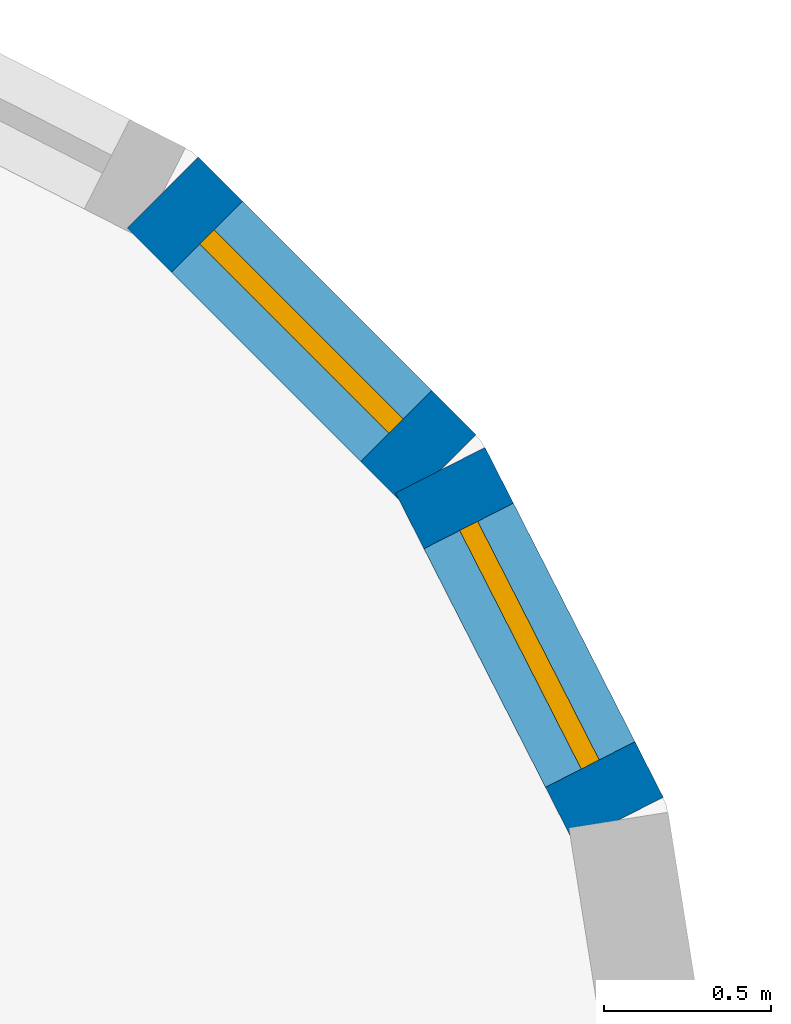
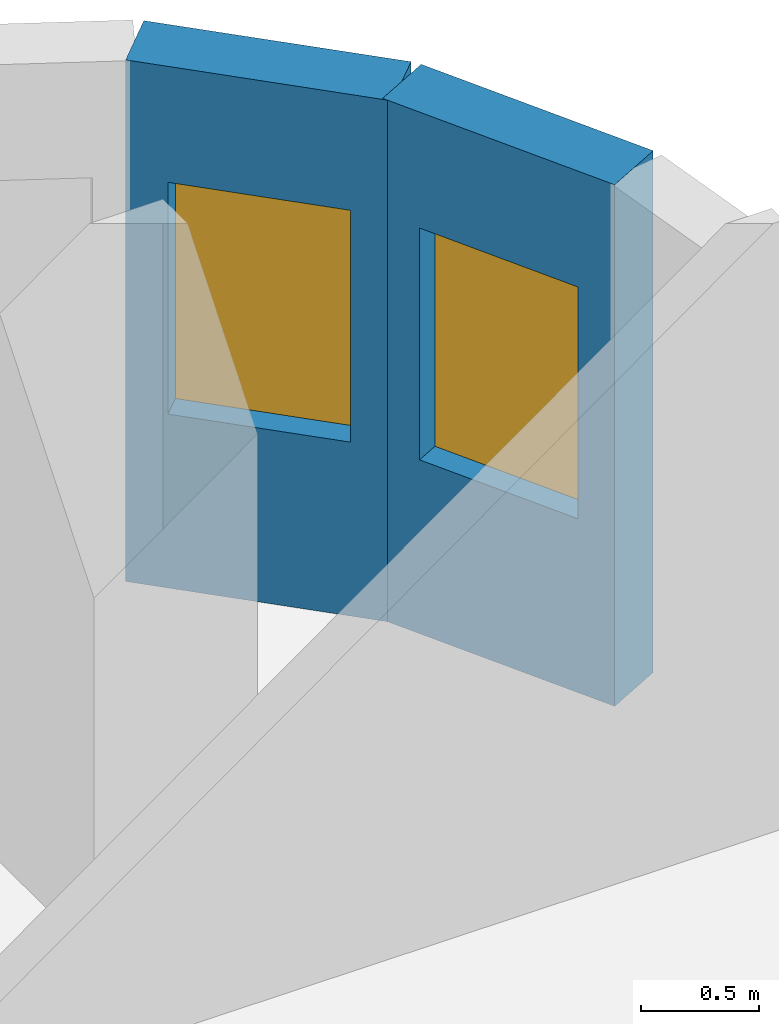
# One storey, part 12 of 15: 2 walls, 2 windows, 2 openings.
"""IFC4 building model written with IfcOpenShell, lengths in metres."""

from ifc_helpers import new_model, si_unit, direction, frame, frame_2d, origin, place, context, subcontext, project, spatial, rectangle, extrude, material, layer, layer_set, type_object, element, fill, save


model = new_model("IFC4")

# Units and contexts
model_context = context("Model", 3, precision=1e-05, world=origin(), true_north=direction((0.0, 1.0)))
body_context = subcontext(model_context, "Body", "Model", "MODEL_VIEW")
ifc_project = project(units=[si_unit("LENGTHUNIT", "METRE"), si_unit("AREAUNIT", "SQUARE_METRE"), si_unit("VOLUMEUNIT", "CUBIC_METRE"), si_unit("PLANEANGLEUNIT", "RADIAN"), si_unit("MASSUNIT", "GRAM", prefix="KILO")], contexts=[model_context])

# Site, building, storey
site_placement = place(None, origin())
site = spatial("IfcSite", under=ifc_project, at=site_placement, CompositionType="ELEMENT")
building_placement = place(site_placement, origin())
building = spatial("IfcBuilding", under=site, at=building_placement, Name="Ludao Terraces", CompositionType="ELEMENT")
storey_placement = place(building_placement, frame((0.0, 0.0, 197.300048828125)))
storey = spatial("IfcBuildingStorey", under=building, at=storey_placement, Name="L53", CompositionType="ELEMENT", Elevation=197.300048828125)

# Wall, opening, window
ifc_material_1 = material(Name="Granite cladding", Category="masonry")
ifc_layer_1 = layer(ifc_material_1, 0.0400390625, Category="stone")
ifc_material_2 = material(Name="Mineral wool")
ifc_layer_2 = layer(ifc_material_2, 0.06005859375)
ifc_material_3 = material(Name="Concrete C40", Category="concrete")
ifc_layer_3 = layer(ifc_material_3, 0.199951171875, Category="concrete")
ifc_layer_set_1 = layer_set([ifc_layer_1, ifc_layer_2, ifc_layer_3], Name="ENV Stone-clad wall 300")
wall_type = type_object("IfcWallType", Name="ENV Stone-clad wall 300", PredefinedType="SOLIDWALL", material=ifc_layer_set_1)
wall_1_placement = place(storey_placement, frame((108.06640625, 85.65869140625, 0.0), z_axis=(0.0, 0.0, 1.0), x_axis=(-0.454025524128, 0.890988677504, 0.0)))
wall_1 = element("IfcWall", 1, at=wall_1_placement, inside=storey, type_object=wall_type, Name="EW-L53-NE2", PredefinedType="SOLIDWALL", context=body_context, shape_type="SweptSolid", body=[
    extrude(rectangle(XDim=1.17333984375, YDim=0.300048828125, at=frame_2d((0.586669921875, 0.0))), origin(), (0.0, 0.0, 1.0), 2.699951171875),
])
opening_1_placement = place(wall_1_placement, frame((0.1865234375, 0.0, 0.89990234375)))
opening_1 = element("IfcOpeningElement", 2, at=opening_1_placement, cuts=wall_1, Name="Opening W3", PredefinedType="OPENING", context=body_context, shape_type="SweptSolid", body=[
    extrude(rectangle(XDim=0.800048828125, YDim=1.199951171875, at=frame_2d((0.39990234375, 0.60009765625))), frame((0.0, 0.16015625, 0.0), z_axis=(0.0, -1.0, 0.0), x_axis=(1.0, 0.0, 0.0)), (0.0, 0.0, 1.0), 0.320068359375),
])
ifc_material_4 = material(Name="Clear glass in aluminium frame", Category="aluminium")
ifc_layer_4 = layer(ifc_material_4, 0.06005859375)
ifc_layer_set_2 = layer_set([ifc_layer_4], Name="ENV Window W3 800x1200")
window_type = type_object("IfcWindowType", Name="ENV Window W3 800x1200", PartitioningType="SINGLE_PANEL", PredefinedType="WINDOW", material=ifc_layer_set_2)
window_1_placement = place(opening_1_placement, origin())
window_1 = element("IfcWindow", 3, at=window_1_placement, inside=storey, type_object=window_type, Name="W-L53-NE2", OverallHeight=1.199951171875, OverallWidth=0.800048828125, PartitioningType="SINGLE_PANEL", PredefinedType="WINDOW", context=body_context, shape_type="SweptSolid", body=[
    extrude(rectangle(XDim=0.800048828125, YDim=1.199951171875, at=frame_2d((0.39990234375, 0.60009765625))), frame((0.0, 0.030029296875, 0.0), z_axis=(0.0, -1.0, 0.0), x_axis=(1.0, 0.0, 0.0)), (0.0, 0.0, 1.0), 0.06005859375),
])
fill(opening_1, window_1)

wall_2_placement = place(storey_placement, frame((107.53369140625, 86.7041015625, 0.0), z_axis=(0.0, 0.0, 1.0), x_axis=(-0.707106781187, 0.707106781187, 0.0)))
wall_2 = element("IfcWall", 4, at=wall_2_placement, inside=storey, type_object=wall_type, Name="EW-L53-NE3", PredefinedType="SOLIDWALL", context=body_context, shape_type="SweptSolid", body=[
    extrude(rectangle(XDim=1.173095703125, YDim=0.300048828125, at=frame_2d((0.58642578125, 0.0))), origin(), (0.0, 0.0, 1.0), 2.699951171875),
])
opening_2_placement = place(wall_2_placement, frame((0.1865234375, 0.0, 0.89990234375)))
opening_2 = element("IfcOpeningElement", 5, at=opening_2_placement, cuts=wall_2, Name="Opening W3", PredefinedType="OPENING", context=body_context, shape_type="SweptSolid", body=[
    extrude(rectangle(XDim=0.800048828125, YDim=1.199951171875, at=frame_2d((0.39990234375, 0.60009765625))), frame((0.0, 0.16015625, 0.0), z_axis=(0.0, -1.0, 0.0), x_axis=(1.0, 0.0, 0.0)), (0.0, 0.0, 1.0), 0.320068359375),
])
window_2_placement = place(opening_2_placement, origin())
window_2 = element("IfcWindow", 6, at=window_2_placement, inside=storey, type_object=window_type, Name="W-L53-NE3", OverallHeight=1.199951171875, OverallWidth=0.800048828125, PartitioningType="SINGLE_PANEL", PredefinedType="WINDOW", context=body_context, shape_type="SweptSolid", body=[
    extrude(rectangle(XDim=0.800048828125, YDim=1.199951171875, at=frame_2d((0.39990234375, 0.60009765625))), frame((0.0, 0.030029296875, 0.0), z_axis=(0.0, -1.0, 0.0), x_axis=(1.0, 0.0, 0.0)), (0.0, 0.0, 1.0), 0.06005859375),
])
fill(opening_2, window_2)

save(model, "model.ifc")
